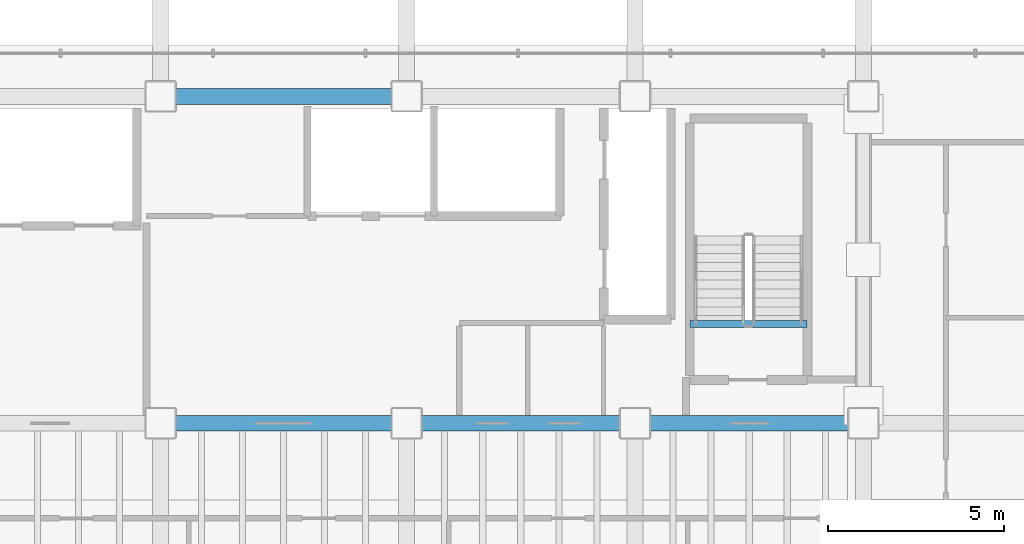
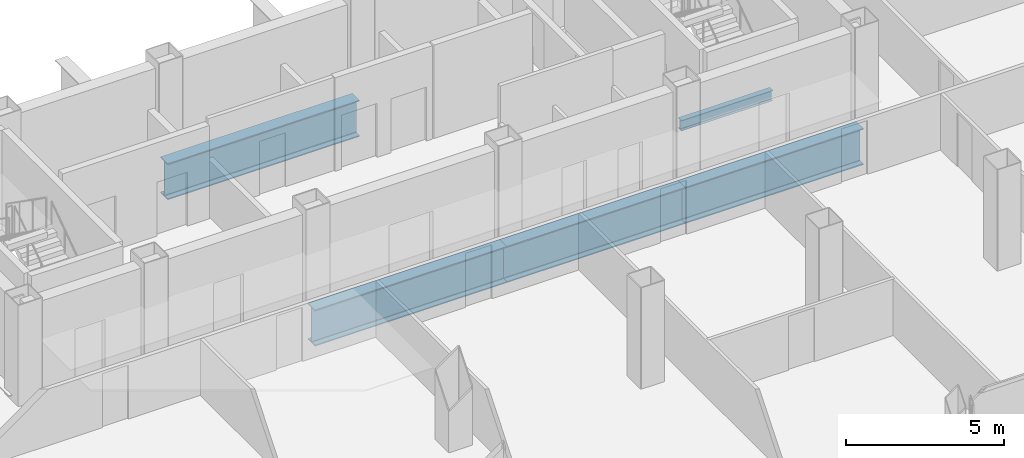
# One storey, part 8 of 17: 5 beams.
"""IFC4 building model written with IfcOpenShell, lengths in metres."""

from ifc_helpers import new_model, si_unit, direction, frame, origin, origin_2d, place, context, subcontext, project, spatial, i_section, extrude, material, material_profile, profile_set, type_object, element, save


model = new_model("IFC4")

# Units and contexts
model_context = context("Model", 3, precision=1e-05, world=origin(), true_north=direction((0.0, 1.0)))
body_context = subcontext(model_context, "Body", "Model", "MODEL_VIEW")
ifc_project = project(units=[si_unit("LENGTHUNIT", "METRE"), si_unit("AREAUNIT", "SQUARE_METRE"), si_unit("VOLUMEUNIT", "CUBIC_METRE"), si_unit("PLANEANGLEUNIT", "RADIAN"), si_unit("MASSUNIT", "GRAM", prefix="KILO")], contexts=[model_context])

# Site, building, storey
site_placement = place(None, origin())
site = spatial("IfcSite", under=ifc_project, at=site_placement, CompositionType="ELEMENT")
building_placement = place(site_placement, origin())
building = spatial("IfcBuilding", under=site, at=building_placement, Name="Noeulbin Bourse Tower", CompositionType="ELEMENT")
storey_placement = place(building_placement, frame((0.0, 0.0, 196.800048828125)))
storey = spatial("IfcBuildingStorey", under=building, at=storey_placement, Name="L49", CompositionType="ELEMENT", Elevation=196.800048828125)

# Beams
ifc_material_1 = material(Name="Steel S355", Category="steel")
ifc_material_profile_1 = material_profile(ifc_material_1, i_section(OverallWidth=0.199951171875, OverallDepth=0.39990234375, WebThickness=0.008056640625, FlangeThickness=0.012939453125, FilletRadius=0.01611328125, at=origin_2d()), Name="H-400x200x8x13", Category="LoadBearing")
ifc_profile_set_1 = profile_set([ifc_material_profile_1], Name="Steel S355")
beam_type_1 = type_object("IfcBeamType", Name="BM-SEC-400", PredefinedType="BEAM", material=ifc_profile_set_1)
beam_1_placement = place(storey_placement, frame((39.06005859375, 31.820068359375, -0.199951171875), z_axis=(1.0, 0.0, 0.0), x_axis=(0.0, 1.0, 0.0)))
element("IfcBeam", 1, at=beam_1_placement, inside=storey, type_object=beam_type_1, Name="Stair Threshold Trimmer Beam ST2-L49", PredefinedType="BEAM", context=body_context, shape_type="SweptSolid", body=[
    extrude(i_section(OverallWidth=0.199951171875, OverallDepth=0.39990234375, WebThickness=0.008056640625, FlangeThickness=0.012939453125, FilletRadius=0.01611328125, at=origin_2d()), origin(), (0.0, 0.0, 1.0), 3.33984375),
])
ifc_material_2 = material(Name="Steel S460", Category="steel")
ifc_material_profile_2 = material_profile(ifc_material_2, i_section(OverallWidth=0.449951171875, OverallDepth=1.39990234375, WebThickness=0.02392578125, FlangeThickness=0.0400390625, FilletRadius=0.02392578125, at=origin_2d()), Name="PG-1400x450x24x40", Category="LoadBearing")
ifc_profile_set_2 = profile_set([ifc_material_profile_2], Name="Steel S460")
beam_type_2 = type_object("IfcBeamType", Name="BM-TRF-1400", PredefinedType="USERDEFINED", material=ifc_profile_set_2)
beam_2_placement = place(storey_placement, frame((24.0, 29.0, -0.93994140625), z_axis=(1.0, 0.0, 0.0), x_axis=(0.0, 1.0, 0.0)))
element("IfcBeam", 2, at=beam_2_placement, inside=storey, type_object=beam_type_2, Name="Tower Primary Girder EW L49-2.3", ObjectType="GIRDER", PredefinedType="USERDEFINED", context=body_context, shape_type="SweptSolid", body=[
    extrude(i_section(OverallWidth=0.449951171875, OverallDepth=1.39990234375, WebThickness=0.02392578125, FlangeThickness=0.0400390625, FilletRadius=0.02392578125, at=origin_2d()), origin(), (0.0, 0.0, 1.0), 7.0),
])
for number, where, z_axis, x_axis, name in (
    (3, (31.0, 29.0, -0.93994140625), (1.0, 0.0, 0.0), (0.0, 1.0, 0.0), "Tower Primary Girder EW L49-2.4"),
    (4, (37.5, 29.0, -0.93994140625), (1.0, 0.0, 0.0), (0.0, 1.0, 0.0), "Tower Primary Girder EW L49-2.5"),
):
    element("IfcBeam", number, at=place(storey_placement, frame(where, z_axis=z_axis, x_axis=x_axis)), inside=storey, type_object=beam_type_2, Name=name, ObjectType="GIRDER", PredefinedType="USERDEFINED", context=body_context, shape_type="SweptSolid", body=[
        extrude(i_section(OverallWidth=0.449951171875, OverallDepth=1.39990234375, WebThickness=0.02392578125, FlangeThickness=0.0400390625, FilletRadius=0.02392578125, at=origin_2d()), origin(), (0.0, 0.0, 1.0), 6.5),
    ])
beam_3_placement = place(storey_placement, frame((24.0, 38.300048828125, -0.93994140625), z_axis=(1.0, 0.0, 0.0), x_axis=(0.0, 1.0, 0.0)))
element("IfcBeam", 5, at=beam_3_placement, inside=storey, type_object=beam_type_2, Name="Tower Primary Girder EW L49-3.2", ObjectType="GIRDER", PredefinedType="USERDEFINED", context=body_context, shape_type="SweptSolid", body=[
    extrude(i_section(OverallWidth=0.449951171875, OverallDepth=1.39990234375, WebThickness=0.02392578125, FlangeThickness=0.0400390625, FilletRadius=0.02392578125, at=origin_2d()), origin(), (0.0, 0.0, 1.0), 7.0),
])

save(model, "model.ifc")
